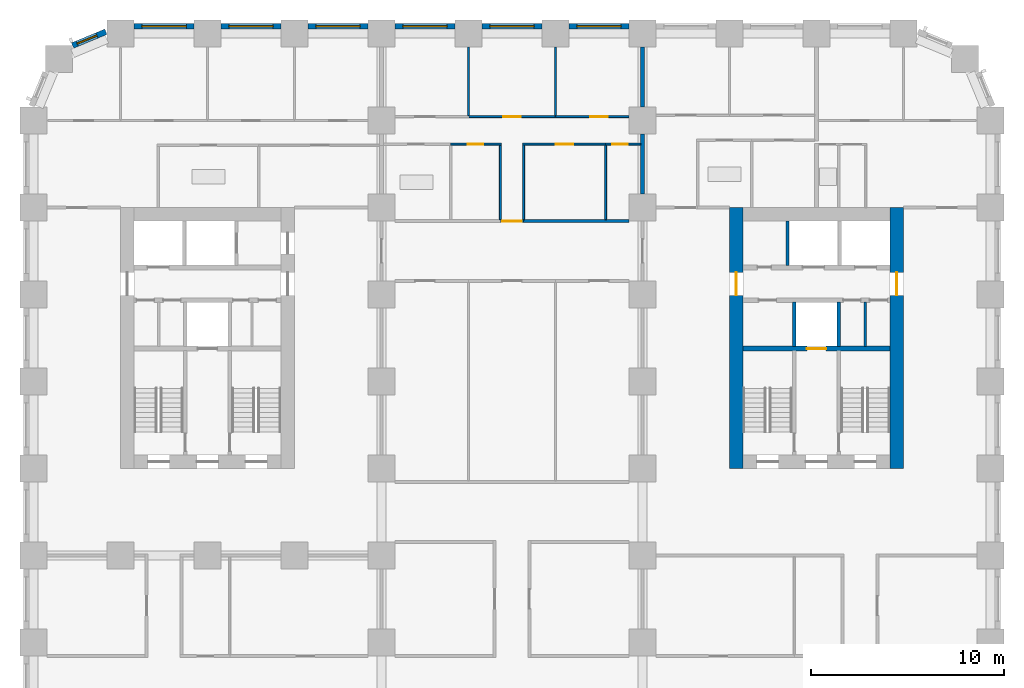
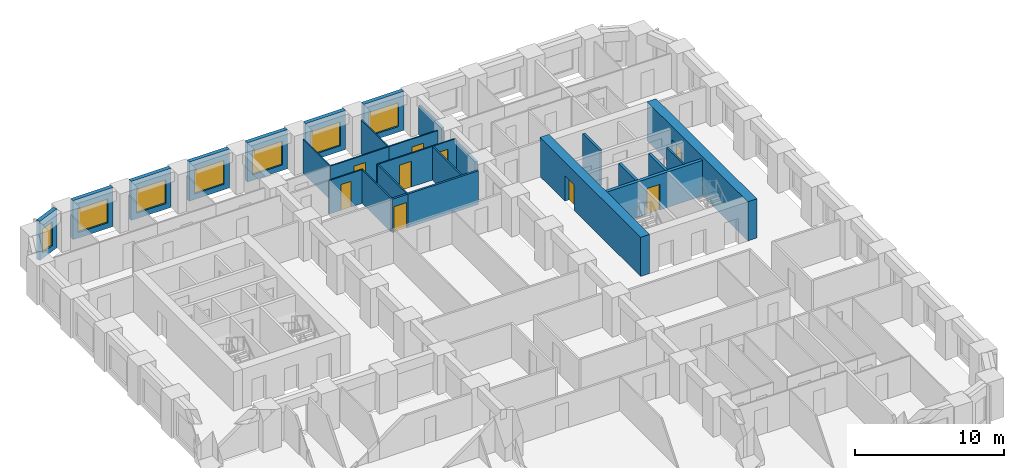
# One storey, part 8 of 13: 28 walls, 9 doors, 7 windows, 16 openings.
"""IFC4 building model written with IfcOpenShell, lengths in metres."""

from ifc_helpers import new_model, si_unit, direction, frame, frame_2d, origin, place, context, subcontext, project, spatial, rectangle, extrude, material, layer, layer_set, type_object, element, fill, save


model = new_model("IFC4")

# Units and contexts
model_context = context("Model", 3, precision=1e-05, world=origin(), true_north=direction((0.0, 1.0)))
body_context = subcontext(model_context, "Body", "Model", "MODEL_VIEW")
ifc_project = project(units=[si_unit("LENGTHUNIT", "METRE"), si_unit("AREAUNIT", "SQUARE_METRE"), si_unit("VOLUMEUNIT", "CUBIC_METRE"), si_unit("PLANEANGLEUNIT", "RADIAN"), si_unit("MASSUNIT", "GRAM", prefix="KILO")], contexts=[model_context])

# Site, building, storey
site_placement = place(None, origin())
site = spatial("IfcSite", under=ifc_project, at=site_placement, CompositionType="ELEMENT")
building_placement = place(site_placement, origin())
building = spatial("IfcBuilding", under=site, at=building_placement, Name="Girih Gate Residences", CompositionType="ELEMENT")
storey_placement = place(building_placement, frame((0.0, 0.0, 56.0)))
storey = spatial("IfcBuildingStorey", under=building, at=storey_placement, Name="L14", CompositionType="ELEMENT", Elevation=56.0)

# Wall, opening, door
ifc_material_1 = material(Name="Gypsum board on steel studs", Category="steel")
ifc_layer_1 = layer(ifc_material_1, 0.14990234375)
ifc_layer_set_1 = layer_set([ifc_layer_1], Name="Compartment wall 150 mm")
wall_type_1 = type_object("IfcWallType", Name="Compartment wall 150 mm", PredefinedType="PARTITIONING", material=ifc_layer_set_1)
wall_1_placement = place(storey_placement, frame((24.14990234375, 39.800048828125, 0.0), z_axis=(0.0, 0.0, 1.0), x_axis=(1.0, 0.0, 0.0)))
wall_1 = element("IfcWall", 1, at=wall_1_placement, inside=storey, type_object=wall_type_1, Name="L14 partition", PredefinedType="PARTITIONING", context=body_context, shape_type="SweptSolid", body=[
    extrude(rectangle(XDim=1.2001953125, YDim=0.14990234375, at=frame_2d((0.60009765625, 0.0))), origin(), (0.0, 0.0, 1.0), 2.75),
])
opening_1_placement = place(wall_1_placement, frame((0.10009765625, 0.0, 0.0)))
opening_1 = element("IfcOpeningElement", 2, at=opening_1_placement, cuts=wall_1, Name="Opening A14-046", PredefinedType="OPENING", context=body_context, shape_type="SweptSolid", body=[
    extrude(rectangle(XDim=1.0, YDim=2.10009765625, at=frame_2d((0.5, 1.050048828125))), frame((0.0, 0.0849609375, 0.0), z_axis=(0.0, -1.0, 0.0), x_axis=(1.0, 0.0, 0.0)), (0.0, 0.0, 1.0), 0.169921875),
])
ifc_material_2 = material(Name="Timber, fire-rated core", Category="wood")
door_type_1 = type_object("IfcDoorType", Name="Flat entrance door 1000x2100 FD30S", OperationType="NOTDEFINED", PredefinedType="DOOR", material=ifc_material_2)
door_1_placement = place(opening_1_placement, origin())
door_1 = element("IfcDoor", 3, at=door_1_placement, inside=storey, type_object=door_type_1, Name="Door A14-046", OperationType="SINGLE_SWING_RIGHT", OverallHeight=2.10009765625, OverallWidth=1.0, PredefinedType="DOOR", context=body_context, shape_type="SweptSolid", body=[
    extrude(rectangle(XDim=1.0, YDim=2.10009765625, at=frame_2d((0.5, 1.050048828125))), frame((0.0, 0.02490234375, 0.0), z_axis=(0.0, -1.0, 0.0), x_axis=(1.0, 0.0, 0.0)), (0.0, 0.0, 1.0), 0.050048828125),
])
fill(opening_1, door_1)

# Wall
wall_2_placement = place(storey_placement, frame((25.35009765625, 39.800048828125, 0.0), z_axis=(0.0, 0.0, 1.0), x_axis=(1.0, 0.0, 0.0)))
element("IfcWall", 4, at=wall_2_placement, inside=storey, type_object=wall_type_1, Name="L14 partition", PredefinedType="PARTITIONING", context=body_context, shape_type="SweptSolid", body=[
    extrude(rectangle(XDim=5.449951171875, YDim=0.14990234375, at=frame_2d((2.72509765625, 0.0))), origin(), (0.0, 0.0, 1.0), 2.75),
])

# Wall, opening, door
ifc_material_3 = material(Name="Concrete C60/75", Category="concrete")
ifc_layer_2 = layer(ifc_material_3, 0.699951171875)
ifc_layer_set_2 = layer_set([ifc_layer_2], Name="Core wall RC 700 Concrete C60/75")
wall_type_2 = type_object("IfcWallType", Name="Core wall RC 700 Concrete C60/75", PredefinedType="SOLIDWALL", material=ifc_layer_set_2)
wall_3_placement = place(storey_placement, frame((36.35009765625, 27.0, 0.0), z_axis=(0.0, 0.0, 1.0), x_axis=(0.0, 1.0, 0.0)))
wall_3 = element("IfcWall", 5, at=wall_3_placement, inside=storey, type_object=wall_type_2, Name="Core wall E-W L14", PredefinedType="SOLIDWALL", context=body_context, shape_type="SweptSolid", body=[
    extrude(rectangle(XDim=13.5, YDim=0.699951171875, at=frame_2d((6.75, 0.0))), origin(), (0.0, 0.0, 1.0), 3.199951171875),
])
opening_2_placement = place(wall_3_placement, frame((8.949951171875, 0.0, 0.0)))
opening_2 = element("IfcOpeningElement", 6, at=opening_2_placement, cuts=wall_3, Name="Opening D-L14-E-013", PredefinedType="OPENING", context=body_context, shape_type="SweptSolid", body=[
    extrude(rectangle(XDim=1.199951171875, YDim=2.10009765625, at=frame_2d((0.60009765625, 1.050048828125))), frame((0.0, 0.35986328125, 0.0), z_axis=(0.0, -1.0, 0.0), x_axis=(1.0, 0.0, 0.0)), (0.0, 0.0, 1.0), 0.719970703125),
])
ifc_material_4 = material(Name="Painted steel, fire-resisting", Category="steel")
door_type_2 = type_object("IfcDoorType", Name="Fire door 1200x2100", OperationType="SINGLE_SWING_LEFT", PredefinedType="DOOR", material=ifc_material_4)
door_2_placement = place(opening_2_placement, origin())
door_2 = element("IfcDoor", 7, at=door_2_placement, inside=storey, type_object=door_type_2, Name="L14 E core door ll-w", OperationType="SINGLE_SWING_LEFT", OverallHeight=2.10009765625, OverallWidth=1.199951171875, PredefinedType="DOOR", context=body_context, shape_type="SweptSolid", body=[
    extrude(rectangle(XDim=1.199951171875, YDim=2.10009765625, at=frame_2d((0.60009765625, 1.050048828125))), frame((0.0, 0.02490234375, 0.0), z_axis=(0.0, -1.0, 0.0), x_axis=(1.0, 0.0, 0.0)), (0.0, 0.0, 1.0), 0.050048828125),
])
fill(opening_2, door_2)

wall_4_placement = place(storey_placement, frame((44.64990234375, 27.0, 0.0), z_axis=(0.0, 0.0, 1.0), x_axis=(0.0, 1.0, 0.0)))
wall_4 = element("IfcWall", 8, at=wall_4_placement, inside=storey, type_object=wall_type_2, Name="Core wall E-E L14", PredefinedType="SOLIDWALL", context=body_context, shape_type="SweptSolid", body=[
    extrude(rectangle(XDim=13.5, YDim=0.699951171875, at=frame_2d((6.75, 0.0))), origin(), (0.0, 0.0, 1.0), 3.199951171875),
])
opening_3_placement = place(wall_4_placement, frame((8.949951171875, 0.0, 0.0)))
opening_3 = element("IfcOpeningElement", 9, at=opening_3_placement, cuts=wall_4, Name="Opening D-L14-E-014", PredefinedType="OPENING", context=body_context, shape_type="SweptSolid", body=[
    extrude(rectangle(XDim=1.199951171875, YDim=2.10009765625, at=frame_2d((0.60009765625, 1.050048828125))), frame((0.0, 0.35986328125, 0.0), z_axis=(0.0, -1.0, 0.0), x_axis=(1.0, 0.0, 0.0)), (0.0, 0.0, 1.0), 0.719970703125),
])
door_3_placement = place(opening_3_placement, origin())
door_3 = element("IfcDoor", 10, at=door_3_placement, inside=storey, type_object=door_type_2, Name="L14 E core door ll-e", OperationType="SINGLE_SWING_LEFT", OverallHeight=2.10009765625, OverallWidth=1.199951171875, PredefinedType="DOOR", context=body_context, shape_type="SweptSolid", body=[
    extrude(rectangle(XDim=1.199951171875, YDim=2.10009765625, at=frame_2d((0.60009765625, 1.050048828125))), frame((0.0, 0.02490234375, 0.0), z_axis=(0.0, -1.0, 0.0), x_axis=(1.0, 0.0, 0.0)), (0.0, 0.0, 1.0), 0.050048828125),
])
fill(opening_3, door_3)

ifc_material_5 = material(Name="Concrete C40/50", Category="concrete")
ifc_layer_3 = layer(ifc_material_5, 0.25)
ifc_layer_set_3 = layer_set([ifc_layer_3], Name="Lift shaft wall 250")
wall_type_3 = type_object("IfcWallType", Name="Lift shaft wall 250", PredefinedType="SOLIDWALL", material=ifc_layer_set_3)
wall_5_placement = place(storey_placement, frame((36.699951171875, 33.199951171875, 0.0), z_axis=(0.0, 0.0, 1.0), x_axis=(1.0, 0.0, 0.0)))
wall_5 = element("IfcWall", 11, at=wall_5_placement, inside=storey, type_object=wall_type_3, Name="L14 E core wall H1", PredefinedType="SOLIDWALL", context=body_context, shape_type="SweptSolid", body=[
    extrude(rectangle(XDim=7.60009765625, YDim=0.25, at=frame_2d((3.800048828125, 0.0))), origin(), (0.0, 0.0, 1.0), 2.89990234375),
])
opening_4_placement = place(wall_5_placement, frame((3.300048828125, 0.0, 0.0)))
opening_4 = element("IfcOpeningElement", 12, at=opening_4_placement, cuts=wall_5, Name="Opening D-L14-E-005", PredefinedType="OPENING", context=body_context, shape_type="SweptSolid", body=[
    extrude(rectangle(XDim=1.0, YDim=2.10009765625, at=frame_2d((0.5, 1.050048828125))), frame((0.0, 0.135009765625, 0.0), z_axis=(0.0, -1.0, 0.0), x_axis=(1.0, 0.0, 0.0)), (0.0, 0.0, 1.0), 0.27001953125),
])
ifc_material_6 = material(Name="Stainless steel, fire-resisting", Category="steel")
door_type_3 = type_object("IfcDoorType", Name="Firefighting lift landing door 1000x2100", OperationType="SLIDING_TO_LEFT", PredefinedType="DOOR", material=ifc_material_6)
door_4_placement = place(opening_4_placement, origin())
door_4 = element("IfcDoor", 13, at=door_4_placement, inside=storey, type_object=door_type_3, Name="L14 lift FF-E landing door", OperationType="SLIDING_TO_LEFT", OverallHeight=2.10009765625, OverallWidth=1.0, PredefinedType="DOOR", context=body_context, shape_type="SweptSolid", body=[
    extrude(rectangle(XDim=1.0, YDim=2.10009765625, at=frame_2d((0.5, 1.050048828125))), frame((0.0, 0.02490234375, 0.0), z_axis=(0.0, -1.0, 0.0), x_axis=(1.0, 0.0, 0.0)), (0.0, 0.0, 1.0), 0.050048828125),
])
fill(opening_4, door_4)

# Wall
ifc_layer_4 = layer(ifc_material_1, 0.10009765625)
ifc_layer_set_4 = layer_set([ifc_layer_4], Name="Partition 100 mm")
wall_type_4 = type_object("IfcWallType", Name="Partition 100 mm", PredefinedType="PARTITIONING", material=ifc_layer_set_4)
wall_6_placement = place(storey_placement, frame((27.0, 45.25, 0.0), z_axis=(0.0, 0.0, 1.0), x_axis=(0.0, 1.0, 0.0)))
element("IfcWall", 14, at=wall_6_placement, inside=storey, type_object=wall_type_4, Name="L14 partition", PredefinedType="PARTITIONING", context=body_context, shape_type="SweptSolid", body=[
    extrude(rectangle(XDim=3.550048828125, YDim=0.10009765625, at=frame_2d((1.77490234375, 0.0))), origin(), (0.0, 0.0, 1.0), 2.75),
])

# Wall, opening, door
wall_7_placement = place(storey_placement, frame((22.5, 45.199951171875, 0.0), z_axis=(0.0, 0.0, 1.0), x_axis=(1.0, 0.0, 0.0)))
wall_7 = element("IfcWall", 15, at=wall_7_placement, inside=storey, type_object=wall_type_4, Name="L14 partition", PredefinedType="PARTITIONING", context=body_context, shape_type="SweptSolid", body=[
    extrude(rectangle(XDim=4.5, YDim=0.10009765625, at=frame_2d((2.25, 0.0))), origin(), (0.0, 0.0, 1.0), 2.75),
])
opening_5_placement = place(wall_7_placement, frame((1.800048828125, 0.0, 0.0)))
opening_5 = element("IfcOpeningElement", 16, at=opening_5_placement, cuts=wall_7, Name="Opening A14-040", PredefinedType="OPENING", context=body_context, shape_type="SweptSolid", body=[
    extrude(rectangle(XDim=0.89990234375, YDim=2.10009765625, at=frame_2d((0.449951171875, 1.050048828125))), frame((0.0, 0.06005859375, 0.0), z_axis=(0.0, -1.0, 0.0), x_axis=(1.0, 0.0, 0.0)), (0.0, 0.0, 1.0), 0.1201171875),
])
ifc_material_7 = material(Name="Timber", Category="wood")
door_type_4 = type_object("IfcDoorType", Name="Bedroom door 900x2100", OperationType="NOTDEFINED", PredefinedType="DOOR", material=ifc_material_7)
door_5_placement = place(opening_5_placement, origin())
door_5 = element("IfcDoor", 17, at=door_5_placement, inside=storey, type_object=door_type_4, Name="Door A14-040", OperationType="SINGLE_SWING_LEFT", OverallHeight=2.10009765625, OverallWidth=0.89990234375, PredefinedType="DOOR", context=body_context, shape_type="SweptSolid", body=[
    extrude(rectangle(XDim=0.89990234375, YDim=2.10009765625, at=frame_2d((0.449951171875, 1.050048828125))), frame((0.0, 0.02490234375, 0.0), z_axis=(0.0, -1.0, 0.0), x_axis=(1.0, 0.0, 0.0)), (0.0, 0.0, 1.0), 0.050048828125),
])
fill(opening_5, door_5)

# Wall
wall_8_placement = place(storey_placement, frame((22.5, 45.25, 0.0), z_axis=(0.0, 0.0, 1.0), x_axis=(0.0, 1.0, 0.0)))
element("IfcWall", 18, at=wall_8_placement, inside=storey, type_object=wall_type_4, Name="L14 partition", PredefinedType="PARTITIONING", context=body_context, shape_type="SweptSolid", body=[
    extrude(rectangle(XDim=3.550048828125, YDim=0.10009765625, at=frame_2d((1.77490234375, 0.0))), origin(), (0.0, 0.0, 1.0), 2.75),
])

# Wall, opening, door
wall_9_placement = place(storey_placement, frame((27.0, 45.199951171875, 0.0), z_axis=(0.0, 0.0, 1.0), x_axis=(1.0, 0.0, 0.0)))
wall_9 = element("IfcWall", 19, at=wall_9_placement, inside=storey, type_object=wall_type_4, Name="L14 partition", PredefinedType="PARTITIONING", context=body_context, shape_type="SweptSolid", body=[
    extrude(rectangle(XDim=3.800048828125, YDim=0.10009765625, at=frame_2d((1.89990234375, 0.0))), origin(), (0.0, 0.0, 1.0), 2.75),
])
opening_6_placement = place(wall_9_placement, frame((1.800048828125, 0.0, 0.0)))
opening_6 = element("IfcOpeningElement", 20, at=opening_6_placement, cuts=wall_9, Name="Opening A14-041", PredefinedType="OPENING", context=body_context, shape_type="SweptSolid", body=[
    extrude(rectangle(XDim=0.89990234375, YDim=2.10009765625, at=frame_2d((0.449951171875, 1.050048828125))), frame((0.0, 0.06005859375, 0.0), z_axis=(0.0, -1.0, 0.0), x_axis=(1.0, 0.0, 0.0)), (0.0, 0.0, 1.0), 0.1201171875),
])
door_6_placement = place(opening_6_placement, origin())
door_6 = element("IfcDoor", 21, at=door_6_placement, inside=storey, type_object=door_type_4, Name="Door A14-041", OperationType="SINGLE_SWING_RIGHT", OverallHeight=2.10009765625, OverallWidth=0.89990234375, PredefinedType="DOOR", context=body_context, shape_type="SweptSolid", body=[
    extrude(rectangle(XDim=0.89990234375, YDim=2.10009765625, at=frame_2d((0.449951171875, 1.050048828125))), frame((0.0, 0.02490234375, 0.0), z_axis=(0.0, -1.0, 0.0), x_axis=(1.0, 0.0, 0.0)), (0.0, 0.0, 1.0), 0.050048828125),
])
fill(opening_6, door_6)

wall_10_placement = place(storey_placement, frame((29.58935546875, 43.780029296875, 0.0), z_axis=(0.0, 0.0, 1.0), x_axis=(-1.0, 0.0, 0.0)))
wall_10 = element("IfcWall", 22, at=wall_10_placement, inside=storey, type_object=wall_type_4, Name="L14 partition", PredefinedType="PARTITIONING", context=body_context, shape_type="SweptSolid", body=[
    extrude(rectangle(XDim=4.289306640625, YDim=0.10009765625, at=frame_2d((2.14453125, 0.0))), origin(), (0.0, 0.0, 1.0), 2.75),
])
opening_7_placement = place(wall_10_placement, frame((1.669677734375, 0.0, 0.0)))
opening_7 = element("IfcOpeningElement", 23, at=opening_7_placement, cuts=wall_10, Name="Opening A14-042", PredefinedType="OPENING", context=body_context, shape_type="SweptSolid", body=[
    extrude(rectangle(XDim=0.89990234375, YDim=2.10009765625, at=frame_2d((0.449951171875, 1.050048828125))), frame((0.0, 0.06005859375, 0.0), z_axis=(0.0, -1.0, 0.0), x_axis=(1.0, 0.0, 0.0)), (0.0, 0.0, 1.0), 0.1201171875),
])
door_type_5 = type_object("IfcDoorType", Name="Kitchen door 900x2100", OperationType="NOTDEFINED", PredefinedType="DOOR", material=ifc_material_7)
door_7_placement = place(opening_7_placement, origin())
door_7 = element("IfcDoor", 24, at=door_7_placement, inside=storey, type_object=door_type_5, Name="Door A14-042", OperationType="SINGLE_SWING_LEFT", OverallHeight=2.10009765625, OverallWidth=0.89990234375, PredefinedType="DOOR", context=body_context, shape_type="SweptSolid", body=[
    extrude(rectangle(XDim=0.89990234375, YDim=2.10009765625, at=frame_2d((0.449951171875, 1.050048828125))), frame((0.0, 0.02490234375, 0.0), z_axis=(0.0, -1.0, 0.0), x_axis=(1.0, 0.0, 0.0)), (0.0, 0.0, 1.0), 0.050048828125),
])
fill(opening_7, door_7)

# Wall
wall_11_placement = place(storey_placement, frame((25.35009765625, 39.875, 0.0), z_axis=(0.0, 0.0, 1.0), x_axis=(0.0, 1.0, 0.0)))
element("IfcWall", 25, at=wall_11_placement, inside=storey, type_object=wall_type_4, Name="L14 partition", PredefinedType="PARTITIONING", context=body_context, shape_type="SweptSolid", body=[
    extrude(rectangle(XDim=3.85498046875, YDim=0.10009765625, at=frame_2d((1.927490234375, 0.0))), origin(), (0.0, 0.0, 1.0), 2.75),
])

# Wall, opening, door
wall_12_placement = place(storey_placement, frame((31.39990234375, 43.780029296875, 0.0), z_axis=(0.0, 0.0, 1.0), x_axis=(-1.0, 0.0, 0.0)))
wall_12 = element("IfcWall", 26, at=wall_12_placement, inside=storey, type_object=wall_type_4, Name="L14 partition", PredefinedType="PARTITIONING", context=body_context, shape_type="SweptSolid", body=[
    extrude(rectangle(XDim=1.810546875, YDim=0.10009765625, at=frame_2d((0.9052734375, 0.0))), origin(), (0.0, 0.0, 1.0), 2.75),
])
opening_8_placement = place(wall_12_placement, frame((0.6552734375, 0.0, 0.0)))
opening_8 = element("IfcOpeningElement", 27, at=opening_8_placement, cuts=wall_12, Name="Opening A14-044", PredefinedType="OPENING", context=body_context, shape_type="SweptSolid", body=[
    extrude(rectangle(XDim=0.800048828125, YDim=2.10009765625, at=frame_2d((0.39990234375, 1.050048828125))), frame((0.0, 0.06005859375, 0.0), z_axis=(0.0, -1.0, 0.0), x_axis=(1.0, 0.0, 0.0)), (0.0, 0.0, 1.0), 0.1201171875),
])
door_type_6 = type_object("IfcDoorType", Name="Store door 800x2100", OperationType="NOTDEFINED", PredefinedType="DOOR", material=ifc_material_7)
door_8_placement = place(opening_8_placement, origin())
door_8 = element("IfcDoor", 28, at=door_8_placement, inside=storey, type_object=door_type_6, Name="Door A14-044", OperationType="SINGLE_SWING_RIGHT", OverallHeight=2.10009765625, OverallWidth=0.800048828125, PredefinedType="DOOR", context=body_context, shape_type="SweptSolid", body=[
    extrude(rectangle(XDim=0.800048828125, YDim=2.10009765625, at=frame_2d((0.39990234375, 1.050048828125))), frame((0.0, 0.02490234375, 0.0), z_axis=(0.0, -1.0, 0.0), x_axis=(1.0, 0.0, 0.0)), (0.0, 0.0, 1.0), 0.050048828125),
])
fill(opening_8, door_8)

# Wall
wall_13_placement = place(storey_placement, frame((24.14990234375, 39.875, 0.0), z_axis=(0.0, 0.0, 1.0), x_axis=(0.0, 1.0, 0.0)))
element("IfcWall", 29, at=wall_13_placement, inside=storey, type_object=wall_type_4, Name="L14 partition", PredefinedType="PARTITIONING", context=body_context, shape_type="SweptSolid", body=[
    extrude(rectangle(XDim=3.85498046875, YDim=0.10009765625, at=frame_2d((1.927490234375, 0.0))), origin(), (0.0, 0.0, 1.0), 2.75),
])

# Wall, opening, door
wall_14_placement = place(storey_placement, frame((24.199951171875, 43.780029296875, 0.0), z_axis=(0.0, 0.0, 1.0), x_axis=(-1.0, 0.0, 0.0)))
wall_14 = element("IfcWall", 30, at=wall_14_placement, inside=storey, type_object=wall_type_4, Name="L14 partition", PredefinedType="PARTITIONING", context=body_context, shape_type="SweptSolid", body=[
    extrude(rectangle(XDim=2.62744140625, YDim=0.10009765625, at=frame_2d((1.313720703125, 0.0))), origin(), (0.0, 0.0, 1.0), 2.75),
])
opening_9_placement = place(wall_14_placement, frame((0.938720703125, 0.0, 0.0)))
opening_9 = element("IfcOpeningElement", 31, at=opening_9_placement, cuts=wall_14, Name="Opening A14-045", PredefinedType="OPENING", context=body_context, shape_type="SweptSolid", body=[
    extrude(rectangle(XDim=0.800048828125, YDim=2.10009765625, at=frame_2d((0.39990234375, 1.050048828125))), frame((0.0, 0.06005859375, 0.0), z_axis=(0.0, -1.0, 0.0), x_axis=(1.0, 0.0, 0.0)), (0.0, 0.0, 1.0), 0.1201171875),
])
door_9_placement = place(opening_9_placement, origin())
door_9 = element("IfcDoor", 32, at=door_9_placement, inside=storey, type_object=door_type_6, Name="Door A14-045", OperationType="SINGLE_SWING_RIGHT", OverallHeight=2.10009765625, OverallWidth=0.800048828125, PredefinedType="DOOR", context=body_context, shape_type="SweptSolid", body=[
    extrude(rectangle(XDim=0.800048828125, YDim=2.10009765625, at=frame_2d((0.39990234375, 1.050048828125))), frame((0.0, 0.02490234375, 0.0), z_axis=(0.0, -1.0, 0.0), x_axis=(1.0, 0.0, 0.0)), (0.0, 0.0, 1.0), 0.050048828125),
])
fill(opening_9, door_9)

# Walls
wall_15_placement = place(storey_placement, frame((29.589111328125, 39.875, 0.0), z_axis=(0.0, 0.0, 1.0), x_axis=(0.0, 1.0, 0.0)))
element("IfcWall", 33, at=wall_15_placement, inside=storey, type_object=wall_type_4, Name="L14 partition", PredefinedType="PARTITIONING", context=body_context, shape_type="SweptSolid", body=[
    extrude(rectangle(XDim=3.85498046875, YDim=0.10009765625, at=frame_2d((1.927490234375, 0.0))), origin(), (0.0, 0.0, 1.0), 2.75),
])
ifc_layer_5 = layer(ifc_material_1, 0.199951171875)
ifc_layer_set_5 = layer_set([ifc_layer_5], Name="Party wall 200 mm")
wall_type_5 = type_object("IfcWallType", Name="Party wall 200 mm", PredefinedType="PARTITIONING", material=ifc_layer_set_5)
for number, where, z_axis, x_axis, name in (
    (34, (31.5, 41.199951171875, 0.0), (0.0, 0.0, 1.0), (0.0, 1.0, 0.0), "L14 partition"),
    (35, (31.5, 45.699951171875, 0.0), (0.0, 0.0, 1.0), (0.0, 1.0, 0.0), "L14 partition"),
):
    element("IfcWall", number, at=place(storey_placement, frame(where, z_axis=z_axis, x_axis=x_axis)), inside=storey, type_object=wall_type_5, Name=name, PredefinedType="PARTITIONING", context=body_context, shape_type="SweptSolid", body=[
        extrude(rectangle(XDim=3.10009765625, YDim=0.199951171875, at=frame_2d((1.550048828125, 0.0))), origin(), (0.0, 0.0, 1.0), 2.3798828125),
    ])

# Wall, opening, window
ifc_material_8 = material(Name="Precast concrete C50/60", Category="concrete")
ifc_layer_6 = layer(ifc_material_8, 0.080078125, Name="Outer leaf")
ifc_material_9 = material(Name="Rigid PIR insulation")
ifc_layer_7 = layer(ifc_material_9, 0.14990234375, Name="Insulation")
ifc_material_10 = material(Name="Precast concrete C40/50", Category="concrete")
ifc_layer_8 = layer(ifc_material_10, 0.070068359375, Name="Inner leaf")
ifc_layer_set_6 = layer_set([ifc_layer_6, ifc_layer_7, ifc_layer_8], Name="Precast concrete C50/60 external wall 300")
wall_type_6 = type_object("IfcWallType", Name="Precast concrete C50/60 external wall 300", PredefinedType="SOLIDWALL", material=ifc_layer_set_6)
wall_16_placement = place(storey_placement, frame((27.699951171875, 49.875, 0.0), z_axis=(0.0, 0.0, 1.0), x_axis=(1.0, 0.0, 0.0)))
wall_16 = element("IfcWall", 36, at=wall_16_placement, inside=storey, type_object=wall_type_6, Name="External wall N0450_0495.3", PredefinedType="SOLIDWALL", context=body_context, shape_type="SweptSolid", body=[
    extrude(rectangle(XDim=3.10009765625, YDim=0.300048828125, at=frame_2d((1.550048828125, 0.0))), origin(), (0.0, 0.0, 1.0), 3.199951171875),
])
opening_10_placement = place(wall_16_placement, frame((0.39990234375, 0.0, 0.449951171875)))
opening_10 = element("IfcOpeningElement", 37, at=opening_10_placement, cuts=wall_16, Name="Opening W-1", PredefinedType="OPENING", context=body_context, shape_type="SweptSolid", body=[
    extrude(rectangle(XDim=2.300048828125, YDim=1.949951171875, at=frame_2d((1.14990234375, 0.97509765625))), frame((0.0, 0.159912109375, 0.0), z_axis=(0.0, -1.0, 0.0), x_axis=(1.0, 0.0, 0.0)), (0.0, 0.0, 1.0), 0.320068359375),
])
ifc_material_11 = material(Name="Double glazing in aluminium frame", Category="aluminium")
window_type_1 = type_object("IfcWindowType", Name="Window W-1 2300x1950", PartitioningType="SINGLE_PANEL", PredefinedType="WINDOW", material=ifc_material_11)
window_1_placement = place(opening_10_placement, origin())
window_1 = element("IfcWindow", 38, at=window_1_placement, inside=storey, type_object=window_type_1, Name="Window W-1 N0450_0495.3", OverallHeight=1.949951171875, OverallWidth=2.300048828125, PartitioningType="SINGLE_PANEL", PredefinedType="WINDOW", context=body_context, shape_type="SweptSolid", body=[
    extrude(rectangle(XDim=2.300048828125, YDim=1.949951171875, at=frame_2d((1.14990234375, 0.97509765625))), frame((0.0, 0.030029296875, 0.0), z_axis=(0.0, -1.0, 0.0), x_axis=(1.0, 0.0, 0.0)), (0.0, 0.0, 1.0), 0.06005859375),
])
fill(opening_10, window_1)

wall_17_placement = place(storey_placement, frame((23.199951171875, 49.875, 0.0), z_axis=(0.0, 0.0, 1.0), x_axis=(1.0, 0.0, 0.0)))
wall_17 = element("IfcWall", 39, at=wall_17_placement, inside=storey, type_object=wall_type_6, Name="External wall N0450_0495.4", PredefinedType="SOLIDWALL", context=body_context, shape_type="SweptSolid", body=[
    extrude(rectangle(XDim=3.10009765625, YDim=0.300048828125, at=frame_2d((1.550048828125, 0.0))), origin(), (0.0, 0.0, 1.0), 3.199951171875),
])
opening_11_placement = place(wall_17_placement, frame((0.39990234375, 0.0, 0.449951171875)))
opening_11 = element("IfcOpeningElement", 40, at=opening_11_placement, cuts=wall_17, Name="Opening W-1", PredefinedType="OPENING", context=body_context, shape_type="SweptSolid", body=[
    extrude(rectangle(XDim=2.300048828125, YDim=1.949951171875, at=frame_2d((1.14990234375, 0.97509765625))), frame((0.0, 0.159912109375, 0.0), z_axis=(0.0, -1.0, 0.0), x_axis=(1.0, 0.0, 0.0)), (0.0, 0.0, 1.0), 0.320068359375),
])
window_2_placement = place(opening_11_placement, origin())
window_2 = element("IfcWindow", 41, at=window_2_placement, inside=storey, type_object=window_type_1, Name="Window W-1 N0450_0495.4", OverallHeight=1.949951171875, OverallWidth=2.300048828125, PartitioningType="SINGLE_PANEL", PredefinedType="WINDOW", context=body_context, shape_type="SweptSolid", body=[
    extrude(rectangle(XDim=2.300048828125, YDim=1.949951171875, at=frame_2d((1.14990234375, 0.97509765625))), frame((0.0, 0.030029296875, 0.0), z_axis=(0.0, -1.0, 0.0), x_axis=(1.0, 0.0, 0.0)), (0.0, 0.0, 1.0), 0.06005859375),
])
fill(opening_11, window_2)

wall_18_placement = place(storey_placement, frame((18.699951171875, 49.875, 0.0), z_axis=(0.0, 0.0, 1.0), x_axis=(1.0, 0.0, 0.0)))
wall_18 = element("IfcWall", 42, at=wall_18_placement, inside=storey, type_object=wall_type_6, Name="External wall N0450_0495.5", PredefinedType="SOLIDWALL", context=body_context, shape_type="SweptSolid", body=[
    extrude(rectangle(XDim=3.10009765625, YDim=0.300048828125, at=frame_2d((1.550048828125, 0.0))), origin(), (0.0, 0.0, 1.0), 3.199951171875),
])
opening_12_placement = place(wall_18_placement, frame((0.39990234375, 0.0, 0.449951171875)))
opening_12 = element("IfcOpeningElement", 43, at=opening_12_placement, cuts=wall_18, Name="Opening W-1", PredefinedType="OPENING", context=body_context, shape_type="SweptSolid", body=[
    extrude(rectangle(XDim=2.300048828125, YDim=1.949951171875, at=frame_2d((1.14990234375, 0.97509765625))), frame((0.0, 0.159912109375, 0.0), z_axis=(0.0, -1.0, 0.0), x_axis=(1.0, 0.0, 0.0)), (0.0, 0.0, 1.0), 0.320068359375),
])
window_3_placement = place(opening_12_placement, origin())
window_3 = element("IfcWindow", 44, at=window_3_placement, inside=storey, type_object=window_type_1, Name="Window W-1 N0450_0495.5", OverallHeight=1.949951171875, OverallWidth=2.300048828125, PartitioningType="SINGLE_PANEL", PredefinedType="WINDOW", context=body_context, shape_type="SweptSolid", body=[
    extrude(rectangle(XDim=2.300048828125, YDim=1.949951171875, at=frame_2d((1.14990234375, 0.97509765625))), frame((0.0, 0.030029296875, 0.0), z_axis=(0.0, -1.0, 0.0), x_axis=(1.0, 0.0, 0.0)), (0.0, 0.0, 1.0), 0.06005859375),
])
fill(opening_12, window_3)

wall_19_placement = place(storey_placement, frame((14.199951171875, 49.875, 0.0), z_axis=(0.0, 0.0, 1.0), x_axis=(1.0, 0.0, 0.0)))
wall_19 = element("IfcWall", 45, at=wall_19_placement, inside=storey, type_object=wall_type_6, Name="External wall N0450_0495.6", PredefinedType="SOLIDWALL", context=body_context, shape_type="SweptSolid", body=[
    extrude(rectangle(XDim=3.10009765625, YDim=0.300048828125, at=frame_2d((1.550048828125, 0.0))), origin(), (0.0, 0.0, 1.0), 3.199951171875),
])
opening_13_placement = place(wall_19_placement, frame((0.39990234375, 0.0, 0.449951171875)))
opening_13 = element("IfcOpeningElement", 46, at=opening_13_placement, cuts=wall_19, Name="Opening W-1", PredefinedType="OPENING", context=body_context, shape_type="SweptSolid", body=[
    extrude(rectangle(XDim=2.300048828125, YDim=1.949951171875, at=frame_2d((1.14990234375, 0.97509765625))), frame((0.0, 0.159912109375, 0.0), z_axis=(0.0, -1.0, 0.0), x_axis=(1.0, 0.0, 0.0)), (0.0, 0.0, 1.0), 0.320068359375),
])
window_4_placement = place(opening_13_placement, origin())
window_4 = element("IfcWindow", 47, at=window_4_placement, inside=storey, type_object=window_type_1, Name="Window W-1 N0450_0495.6", OverallHeight=1.949951171875, OverallWidth=2.300048828125, PartitioningType="SINGLE_PANEL", PredefinedType="WINDOW", context=body_context, shape_type="SweptSolid", body=[
    extrude(rectangle(XDim=2.300048828125, YDim=1.949951171875, at=frame_2d((1.14990234375, 0.97509765625))), frame((0.0, 0.030029296875, 0.0), z_axis=(0.0, -1.0, 0.0), x_axis=(1.0, 0.0, 0.0)), (0.0, 0.0, 1.0), 0.06005859375),
])
fill(opening_13, window_4)

wall_20_placement = place(storey_placement, frame((9.699951171875, 49.875, 0.0), z_axis=(0.0, 0.0, 1.0), x_axis=(1.0, 0.0, 0.0)))
wall_20 = element("IfcWall", 48, at=wall_20_placement, inside=storey, type_object=wall_type_6, Name="External wall N0450_0495.7", PredefinedType="SOLIDWALL", context=body_context, shape_type="SweptSolid", body=[
    extrude(rectangle(XDim=3.10009765625, YDim=0.300048828125, at=frame_2d((1.550048828125, 0.0))), origin(), (0.0, 0.0, 1.0), 3.199951171875),
])
opening_14_placement = place(wall_20_placement, frame((0.39990234375, 0.0, 0.449951171875)))
opening_14 = element("IfcOpeningElement", 49, at=opening_14_placement, cuts=wall_20, Name="Opening W-1", PredefinedType="OPENING", context=body_context, shape_type="SweptSolid", body=[
    extrude(rectangle(XDim=2.300048828125, YDim=1.949951171875, at=frame_2d((1.14990234375, 0.97509765625))), frame((0.0, 0.159912109375, 0.0), z_axis=(0.0, -1.0, 0.0), x_axis=(1.0, 0.0, 0.0)), (0.0, 0.0, 1.0), 0.320068359375),
])
window_5_placement = place(opening_14_placement, origin())
window_5 = element("IfcWindow", 50, at=window_5_placement, inside=storey, type_object=window_type_1, Name="Window W-1 N0450_0495.7", OverallHeight=1.949951171875, OverallWidth=2.300048828125, PartitioningType="SINGLE_PANEL", PredefinedType="WINDOW", context=body_context, shape_type="SweptSolid", body=[
    extrude(rectangle(XDim=2.300048828125, YDim=1.949951171875, at=frame_2d((1.14990234375, 0.97509765625))), frame((0.0, 0.030029296875, 0.0), z_axis=(0.0, -1.0, 0.0), x_axis=(1.0, 0.0, 0.0)), (0.0, 0.0, 1.0), 0.06005859375),
])
fill(opening_14, window_5)

wall_21_placement = place(storey_placement, frame((5.199951171875, 49.875, 0.0), z_axis=(0.0, 0.0, 1.0), x_axis=(1.0, 0.0, 0.0)))
wall_21 = element("IfcWall", 51, at=wall_21_placement, inside=storey, type_object=wall_type_6, Name="External wall N0450_0495.8", PredefinedType="SOLIDWALL", context=body_context, shape_type="SweptSolid", body=[
    extrude(rectangle(XDim=3.10009765625, YDim=0.300048828125, at=frame_2d((1.550048828125, 0.0))), origin(), (0.0, 0.0, 1.0), 3.199951171875),
])
opening_15_placement = place(wall_21_placement, frame((0.39990234375, 0.0, 0.449951171875)))
opening_15 = element("IfcOpeningElement", 52, at=opening_15_placement, cuts=wall_21, Name="Opening W-1", PredefinedType="OPENING", context=body_context, shape_type="SweptSolid", body=[
    extrude(rectangle(XDim=2.300048828125, YDim=1.949951171875, at=frame_2d((1.14990234375, 0.97509765625))), frame((0.0, 0.159912109375, 0.0), z_axis=(0.0, -1.0, 0.0), x_axis=(1.0, 0.0, 0.0)), (0.0, 0.0, 1.0), 0.320068359375),
])
window_6_placement = place(opening_15_placement, origin())
window_6 = element("IfcWindow", 53, at=window_6_placement, inside=storey, type_object=window_type_1, Name="Window W-1 N0450_0495.8", OverallHeight=1.949951171875, OverallWidth=2.300048828125, PartitioningType="SINGLE_PANEL", PredefinedType="WINDOW", context=body_context, shape_type="SweptSolid", body=[
    extrude(rectangle(XDim=2.300048828125, YDim=1.949951171875, at=frame_2d((1.14990234375, 0.97509765625))), frame((0.0, 0.030029296875, 0.0), z_axis=(0.0, -1.0, 0.0), x_axis=(1.0, 0.0, 0.0)), (0.0, 0.0, 1.0), 0.06005859375),
])
fill(opening_15, window_6)

wall_22_placement = place(storey_placement, frame((2.01953125, 48.87841796875, 0.0), z_axis=(0.0, 0.0, 1.0), x_axis=(0.923903565336, 0.38262540684, 0.0)))
wall_22 = element("IfcWall", 54, at=wall_22_placement, inside=storey, type_object=wall_type_6, Name="External wall NW0045_0495.0", PredefinedType="SOLIDWALL", context=body_context, shape_type="SweptSolid", body=[
    extrude(rectangle(XDim=1.864990234375, YDim=0.300048828125, at=frame_2d((0.9326171875, 0.0))), origin(), (0.0, 0.0, 1.0), 3.199951171875),
])
opening_16_placement = place(wall_22_placement, frame((0.257568359375, 0.0, 0.449951171875)))
opening_16 = element("IfcOpeningElement", 55, at=opening_16_placement, cuts=wall_22, Name="Opening W-2C", PredefinedType="OPENING", context=body_context, shape_type="SweptSolid", body=[
    extrude(rectangle(XDim=1.10009765625, YDim=1.949951171875, at=frame_2d((0.550048828125, 0.97509765625))), frame((0.0, 0.159912109375, 0.0), z_axis=(0.0, -1.0, 0.0), x_axis=(1.0, 0.0, 0.0)), (0.0, 0.0, 1.0), 0.320068359375),
])
window_type_2 = type_object("IfcWindowType", Name="Window W-2C 1100x1950", PartitioningType="SINGLE_PANEL", PredefinedType="WINDOW", material=ifc_material_11)
window_7_placement = place(opening_16_placement, origin())
window_7 = element("IfcWindow", 56, at=window_7_placement, inside=storey, type_object=window_type_2, Name="Window W-2C NW0045_0495.0", OverallHeight=1.949951171875, OverallWidth=1.10009765625, PartitioningType="SINGLE_PANEL", PredefinedType="WINDOW", context=body_context, shape_type="SweptSolid", body=[
    extrude(rectangle(XDim=1.10009765625, YDim=1.949951171875, at=frame_2d((0.550048828125, 0.97509765625))), frame((0.0, 0.030029296875, 0.0), z_axis=(0.0, -1.0, 0.0), x_axis=(1.0, 0.0, 0.0)), (0.0, 0.0, 1.0), 0.06005859375),
])
fill(opening_16, window_7)

# Walls
ifc_layer_9 = layer(ifc_material_5, 0.175048828125)
ifc_layer_set_7 = layer_set([ifc_layer_9], Name="Riser shaft wall 175")
wall_type_7 = type_object("IfcWallType", Name="Riser shaft wall 175", PredefinedType="SOLIDWALL", material=ifc_layer_set_7)
wall_23_placement = place(storey_placement, frame((39.0, 37.5, 0.0), z_axis=(0.0, 0.0, 1.0), x_axis=(0.0, 1.0, 0.0)))
element("IfcWall", 57, at=wall_23_placement, inside=storey, type_object=wall_type_7, Name="L14 E core wall V2c", PredefinedType="SOLIDWALL", context=body_context, shape_type="SweptSolid", body=[
    extrude(rectangle(XDim=2.300048828125, YDim=0.175048828125, at=frame_2d((1.14990234375, 0.0))), origin(), (0.0, 0.0, 1.0), 2.89990234375),
])
ifc_layer_10 = layer(ifc_material_5, 0.199951171875)
ifc_layer_set_8 = layer_set([ifc_layer_10], Name="Shaft wall 200")
wall_type_8 = type_object("IfcWallType", Name="Shaft wall 200", PredefinedType="SOLIDWALL", material=ifc_layer_set_8)
for number, where, z_axis, x_axis, name in (
    (58, (41.64990234375, 33.300048828125, 0.0), (0.0, 0.0, 1.0), (0.0, 1.0, 0.0), "L14 E core wall V1b"),
    (59, (39.35009765625, 33.300048828125, 0.0), (0.0, 0.0, 1.0), (0.0, 1.0, 0.0), "L14 E core wall V2b"),
):
    element("IfcWall", number, at=place(storey_placement, frame(where, z_axis=z_axis, x_axis=x_axis)), inside=storey, type_object=wall_type_8, Name=name, PredefinedType="SOLIDWALL", context=body_context, shape_type="SweptSolid", body=[
        extrude(rectangle(XDim=2.300048828125, YDim=0.199951171875, at=frame_2d((1.14990234375, 0.0))), origin(), (0.0, 0.0, 1.0), 2.89990234375),
    ])
ifc_material_12 = material(Name="Calcium silicate blockwork", Category="masonry")
ifc_layer_11 = layer(ifc_material_12, 0.125)
ifc_layer_set_9 = layer_set([ifc_layer_11], Name="Store partition 125")
wall_type_9 = type_object("IfcWallType", Name="Store partition 125", PredefinedType="PARTITIONING", material=ifc_layer_set_9)
wall_24_placement = place(storey_placement, frame((43.02490234375, 33.300048828125, 0.0), z_axis=(0.0, 0.0, 1.0), x_axis=(0.0, 1.0, 0.0)))
element("IfcWall", 60, at=wall_24_placement, inside=storey, type_object=wall_type_9, Name="L14 E core wall SHR1", PredefinedType="PARTITIONING", context=body_context, shape_type="SweptSolid", body=[
    extrude(rectangle(XDim=2.300048828125, YDim=0.125, at=frame_2d((1.14990234375, 0.0))), origin(), (0.0, 0.0, 1.0), 2.89990234375),
])

save(model, "model.ifc")
